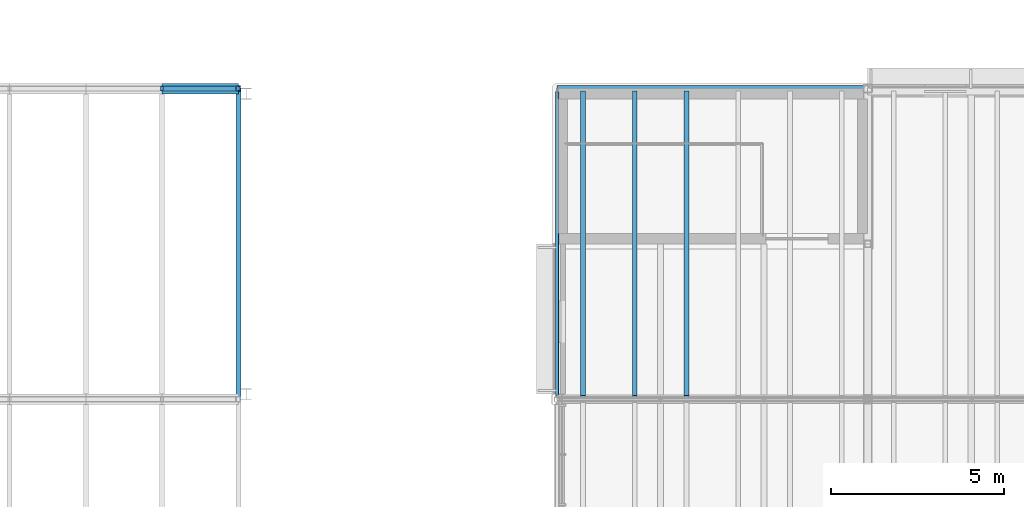
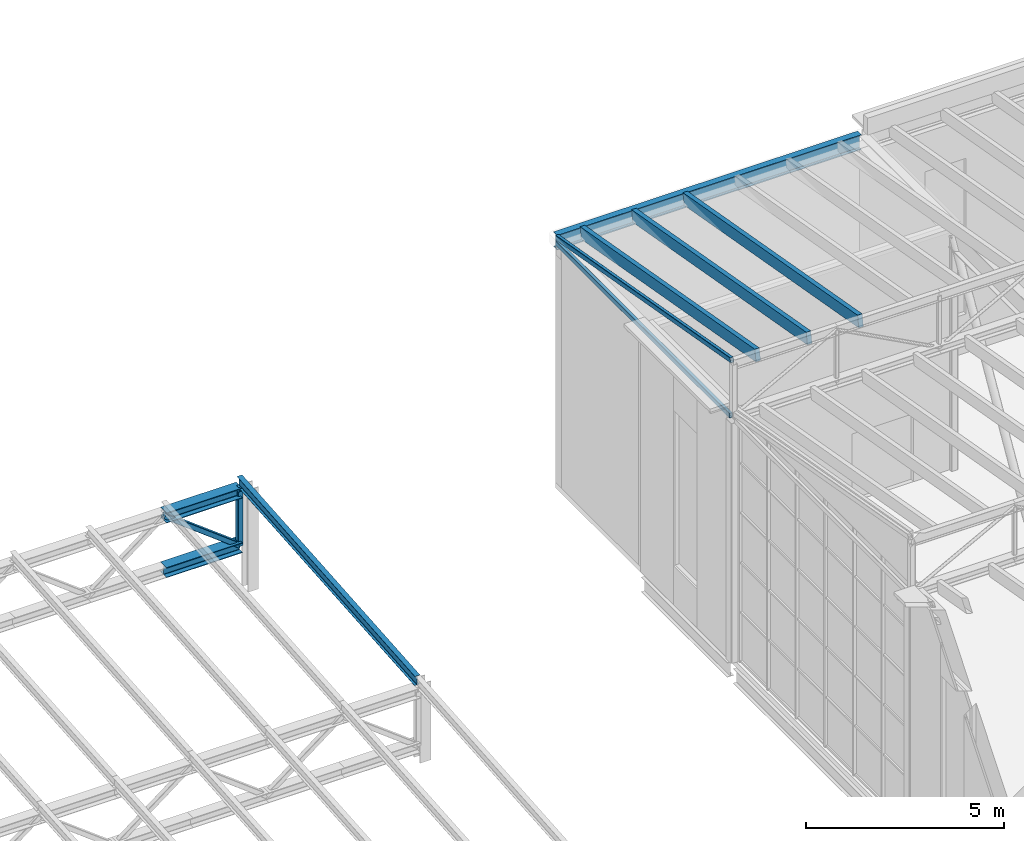
# One storey, part 40 of 90: 10 members, 1 beam.
"""IFC4 building model written with IfcOpenShell, lengths in metres."""

from ifc_helpers import new_model, si_unit, direction, frame, origin, origin_2d, place, context, subcontext, project, spatial, rectangle, hollow_rectangle, i_section, extrude, material, material_profile, profile_set, type_object, element, save


model = new_model("IFC4")

# Units and contexts
model_context = context("Model", 3, precision=1e-05, world=origin(), true_north=direction((0.0, 1.0)))
body_context = subcontext(model_context, "Body", "Model", "MODEL_VIEW")
ifc_project = project(units=[si_unit("LENGTHUNIT", "METRE"), si_unit("AREAUNIT", "SQUARE_METRE"), si_unit("VOLUMEUNIT", "CUBIC_METRE"), si_unit("PLANEANGLEUNIT", "RADIAN"), si_unit("MASSUNIT", "GRAM", prefix="KILO")], contexts=[model_context])

# Site, building, storey
site_placement = place(None, origin())
site = spatial("IfcSite", under=ifc_project, at=site_placement, CompositionType="ELEMENT")
building_placement = place(site_placement, origin())
building = spatial("IfcBuilding", under=site, at=building_placement, Name="Halyard Row Museum", CompositionType="ELEMENT")
storey_placement = place(building_placement, frame((0.0, 0.0, 13.39990234375)))
storey = spatial("IfcBuildingStorey", under=building, at=storey_placement, Name="L03", CompositionType="ELEMENT", Elevation=13.39990234375)

# Beam
ifc_material_1 = material(Name="Steel Grade 300", Category="steel")
ifc_material_profile_1 = material_profile(ifc_material_1, i_section(OverallWidth=0.19091796875, OverallDepth=0.46044921875, WebThickness=0.010009765625, FlangeThickness=0.01611328125, FilletRadius=0.011474609375, at=origin_2d()), Name="460UB82.1")
ifc_profile_set_1 = profile_set([ifc_material_profile_1], Name="Steel Grade 300")
beam_type = type_object("IfcBeamType", Name="Eave girder 460UB82.1", PredefinedType="BEAM", material=ifc_profile_set_1)
beam_placement = place(storey_placement, frame((27.0, 45.0, 7.449951171875), z_axis=(1.0, 0.0, 0.0), x_axis=(0.0, 1.0, 0.0)))
element("IfcBeam", 1, at=beam_placement, inside=storey, type_object=beam_type, Name="V1 eave girder 4.1", PredefinedType="BEAM", context=body_context, shape_type="SweptSolid", body=[
    extrude(i_section(OverallWidth=0.19091796875, OverallDepth=0.46044921875, WebThickness=0.010009765625, FlangeThickness=0.01611328125, FilletRadius=0.011474609375, at=origin_2d()), origin(), (0.0, 0.0, 1.0), 8.875),
])

# Members
ifc_material_2 = material(Name="Steel Grade C350L0", Category="steel")
ifc_material_profile_2 = material_profile(ifc_material_2, hollow_rectangle(XDim=0.10009765625, YDim=0.14990234375, WallThickness=0.006103515625, InnerFilletRadius=0.009033203125, OuterFilletRadius=0.014892578125, at=origin_2d()), Name="150x100x6.0RHS")
ifc_profile_set_2 = profile_set([ifc_material_profile_2], Name="Steel Grade C350L0")
member_type_1 = type_object("IfcMemberType", Name="Gable end chord 150x100x6.0RHS", PredefinedType="CHORD", material=ifc_profile_set_2)
member_1_placement = place(storey_placement, frame((27.0, 36.126953125, 7.44775390625), z_axis=(0.0, 1.0, 0.0), x_axis=(-1.0, 0.0, 0.0)))
element("IfcMember", 2, at=member_1_placement, inside=storey, type_object=member_type_1, Name="V1-GW3 eave chord", PredefinedType="CHORD", context=body_context, shape_type="SweptSolid", body=[
    extrude(hollow_rectangle(XDim=0.10009765625, YDim=0.14990234375, WallThickness=0.006103515625, InnerFilletRadius=0.009033203125, OuterFilletRadius=0.014892578125, at=origin_2d()), origin(), (0.0, 0.0, 1.0), 8.777587890625),
])
ifc_material_3 = material(Name="Steel Grade C350L0", Category="steel")
ifc_material_profile_3 = material_profile(ifc_material_3, hollow_rectangle(XDim=0.10009765625, YDim=0.14990234375, WallThickness=0.006103515625, InnerFilletRadius=0.009033203125, OuterFilletRadius=0.014892578125, at=origin_2d()), Name="150x100x6.0RHS")
ifc_profile_set_3 = profile_set([ifc_material_profile_3], Name="Steel Grade C350L0")
member_type_2 = type_object("IfcMemberType", Name="Gable end rafter 150x100x6.0RHS", PredefinedType="RAFTER", material=ifc_profile_set_3)
member_2_placement = place(storey_placement, frame((27.0, 36.074951171875, 9.190673828125), z_axis=(0.0, 0.98456021411, -0.175046236154), x_axis=(-1.0, 0.0, 0.0)))
element("IfcMember", 3, at=member_2_placement, inside=storey, type_object=member_type_2, Name="V1-GW3 raking rafter", PredefinedType="RAFTER", context=body_context, shape_type="SweptSolid", body=[
    extrude(hollow_rectangle(XDim=0.10009765625, YDim=0.14990234375, WallThickness=0.006103515625, InnerFilletRadius=0.009033203125, OuterFilletRadius=0.014892578125, at=origin_2d()), origin(), (0.0, 0.0, 1.0), 8.968017578125),
])
ifc_material_4 = material(Name="Steel Grade 300", Category="steel")
ifc_material_profile_4 = material_profile(ifc_material_4, i_section(OverallWidth=0.14892578125, OverallDepth=0.298095703125, WebThickness=0.005615234375, FlangeThickness=0.008056640625, FilletRadius=0.012939453125, at=origin_2d()), Name="310UB32.0")
ifc_profile_set_4 = profile_set([ifc_material_profile_4], Name="Steel Grade 300")
member_type_3 = type_object("IfcMemberType", Name="Hall roof purlin 310UB32.0", PredefinedType="PURLIN", material=ifc_profile_set_4)
member_3_placement = place(storey_placement, frame((17.76953125, 36.0, 2.580078125), z_axis=(0.0, 0.996815536467, 0.079741998075), x_axis=(-1.0, 0.0, 0.0)))
element("IfcMember", 4, at=member_3_placement, inside=storey, type_object=member_type_3, Name="Hall roof purlin H3 9", PredefinedType="PURLIN", context=body_context, shape_type="SweptSolid", body=[
    extrude(i_section(OverallWidth=0.14892578125, OverallDepth=0.298095703125, WebThickness=0.005615234375, FlangeThickness=0.008056640625, FilletRadius=0.012939453125, at=origin_2d()), origin(), (0.0, 0.0, 1.0), 9.02880859375),
])
ifc_material_5 = material(Name="Glulam GL12 radiata pine", Category="wood")
ifc_material_profile_5 = material_profile(ifc_material_5, rectangle(XDim=0.135009765625, YDim=0.360107421875, at=origin_2d()), Name="GL12 135x360")
ifc_profile_set_5 = profile_set([ifc_material_profile_5], Name="Glulam GL12 radiata pine")
member_type_4 = type_object("IfcMemberType", Name="Rafter GL12 135x360", PredefinedType="RAFTER", material=ifc_profile_set_5)
for number, where, z_axis, x_axis, name in (
    (5, (27.75, 36.074462890625, 9.083984375), (0.0, 0.984561882288, -0.175036853105), (-1.0, 0.0, 0.0), "Rafter V1-T3a.1"),
    (6, (29.25, 36.074462890625, 9.083984375), (0.0, 0.984561882288, -0.175036853105), (-1.0, 0.0, 0.0), "Rafter V1-T3a.2"),
    (7, (30.75, 36.074462890625, 9.083984375), (0.0, 0.984561882288, -0.175036853105), (-1.0, 0.0, 0.0), "Rafter V1-T3a.3"),
):
    element("IfcMember", number, at=place(storey_placement, frame(where, z_axis=z_axis, x_axis=x_axis)), inside=storey, type_object=member_type_4, Name=name, PredefinedType="RAFTER", context=body_context, shape_type="SweptSolid", body=[
        extrude(rectangle(XDim=0.135009765625, YDim=0.360107421875, at=origin_2d()), origin(), (0.0, 0.0, 1.0), 8.968505859375),
    ])
ifc_material_6 = material(Name="Steel Grade 300", Category="steel")
ifc_material_profile_6 = material_profile(ifc_material_6, i_section(OverallWidth=0.306884765625, OverallDepth=0.314697265625, WebThickness=0.011962890625, FlangeThickness=0.018798828125, FilletRadius=0.0166015625, at=origin_2d()), Name="310UC118")
ifc_profile_set_6 = profile_set([ifc_material_profile_6], Name="Steel Grade 300")
member_type_5 = type_object("IfcMemberType", Name="Truss chord 310UC118 bottom hall", PredefinedType="CHORD", material=ifc_profile_set_6)
member_4_placement = place(storey_placement, frame((15.560791015625, 45.0, 1.307861328125), z_axis=(1.0, 0.0, 0.0), x_axis=(0.0, 1.0, 0.0)))
element("IfcMember", 8, at=member_4_placement, inside=storey, type_object=member_type_5, Name="V3-RT4 bottom chord 8", PredefinedType="CHORD", context=body_context, shape_type="SweptSolid", body=[
    extrude(i_section(OverallWidth=0.306884765625, OverallDepth=0.314697265625, WebThickness=0.011962890625, FlangeThickness=0.018798828125, FilletRadius=0.0166015625, at=origin_2d()), origin(), (0.0, 0.0, 1.0), 2.208740234375),
])
ifc_material_7 = material(Name="Steel Grade 300", Category="steel")
ifc_material_profile_7 = material_profile(ifc_material_7, i_section(OverallWidth=0.306884765625, OverallDepth=0.314697265625, WebThickness=0.011962890625, FlangeThickness=0.018798828125, FilletRadius=0.0166015625, at=origin_2d()), Name="310UC118")
ifc_profile_set_7 = profile_set([ifc_material_profile_7], Name="Steel Grade 300")
member_type_6 = type_object("IfcMemberType", Name="Truss chord 310UC118 top hall", PredefinedType="CHORD", material=ifc_profile_set_7)
member_5_placement = place(storey_placement, frame((15.560791015625, 45.0, 2.993408203125), z_axis=(1.0, 0.0, 0.0), x_axis=(0.0, 1.0, 0.0)))
element("IfcMember", 9, at=member_5_placement, inside=storey, type_object=member_type_6, Name="V3-RT4 top chord 8", PredefinedType="CHORD", context=body_context, shape_type="SweptSolid", body=[
    extrude(i_section(OverallWidth=0.306884765625, OverallDepth=0.314697265625, WebThickness=0.011962890625, FlangeThickness=0.018798828125, FilletRadius=0.0166015625, at=origin_2d()), origin(), (0.0, 0.0, 1.0), 2.208740234375),
])
ifc_material_8 = material(Name="Steel Grade C350L0", Category="steel")
ifc_material_profile_8 = material_profile(ifc_material_8, hollow_rectangle(XDim=0.14990234375, YDim=0.14990234375, WallThickness=0.008056640625, InnerFilletRadius=0.011962890625, OuterFilletRadius=0.02001953125, at=origin_2d()), Name="150x150x8.0SHS")
ifc_profile_set_8 = profile_set([ifc_material_profile_8], Name="Steel Grade C350L0")
member_type_7 = type_object("IfcMemberType", Name="Truss diagonal 150x150x8.0SHS", PredefinedType="BRACE", material=ifc_profile_set_8)
member_6_placement = place(storey_placement, frame((15.560791015625, 45.0, 2.993408203125), z_axis=(0.794963513129, 0.0, -0.606657244903), x_axis=(0.0, 1.0, 0.0)))
element("IfcMember", 10, at=member_6_placement, inside=storey, type_object=member_type_7, Name="V3-RT4 diagonal 8", PredefinedType="BRACE", context=body_context, shape_type="SweptSolid", body=[
    extrude(hollow_rectangle(XDim=0.14990234375, YDim=0.14990234375, WallThickness=0.008056640625, InnerFilletRadius=0.011962890625, OuterFilletRadius=0.02001953125, at=origin_2d()), origin(), (0.0, 0.0, 1.0), 2.7783203125),
])
ifc_material_9 = material(Name="Steel Grade C350L0", Category="steel")
ifc_material_profile_9 = material_profile(ifc_material_9, hollow_rectangle(XDim=0.14990234375, YDim=0.14990234375, WallThickness=0.008056640625, InnerFilletRadius=0.011962890625, OuterFilletRadius=0.02001953125, at=origin_2d()), Name="150x150x8.0SHS")
ifc_profile_set_9 = profile_set([ifc_material_profile_9], Name="Steel Grade C350L0")
member_type_8 = type_object("IfcMemberType", Name="Truss post 150x150x8.0SHS", PredefinedType="POST", material=ifc_profile_set_9)
member_7_placement = place(storey_placement, frame((17.76953125, 45.0, 1.307861328125), z_axis=(0.0, 0.0, 1.0), x_axis=(1.0, 0.0, 0.0)))
element("IfcMember", 11, at=member_7_placement, inside=storey, type_object=member_type_8, Name="V3-RT4 end post 2", PredefinedType="POST", context=body_context, shape_type="SweptSolid", body=[
    extrude(hollow_rectangle(XDim=0.14990234375, YDim=0.14990234375, WallThickness=0.008056640625, InnerFilletRadius=0.011962890625, OuterFilletRadius=0.02001953125, at=origin_2d()), origin(), (0.0, 0.0, 1.0), 1.685546875),
])

save(model, "model.ifc")
